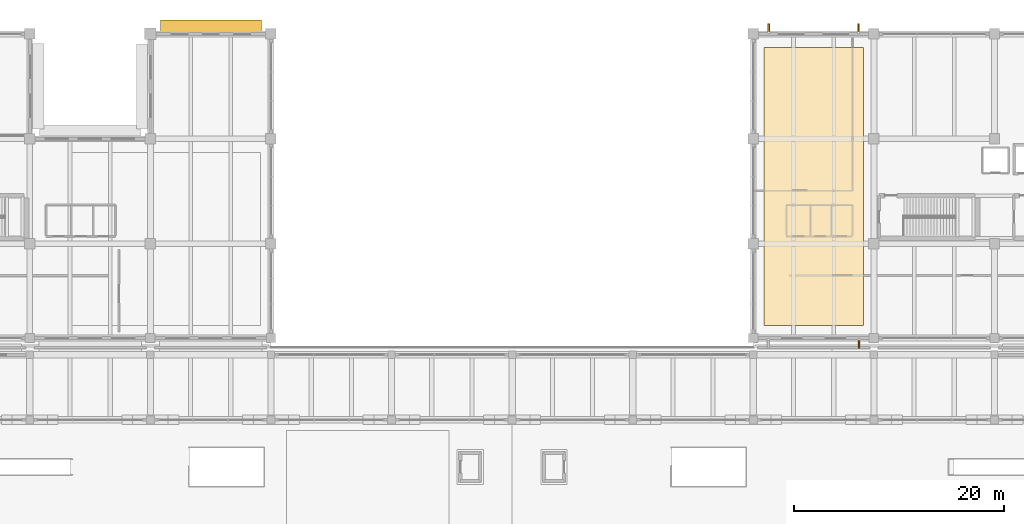
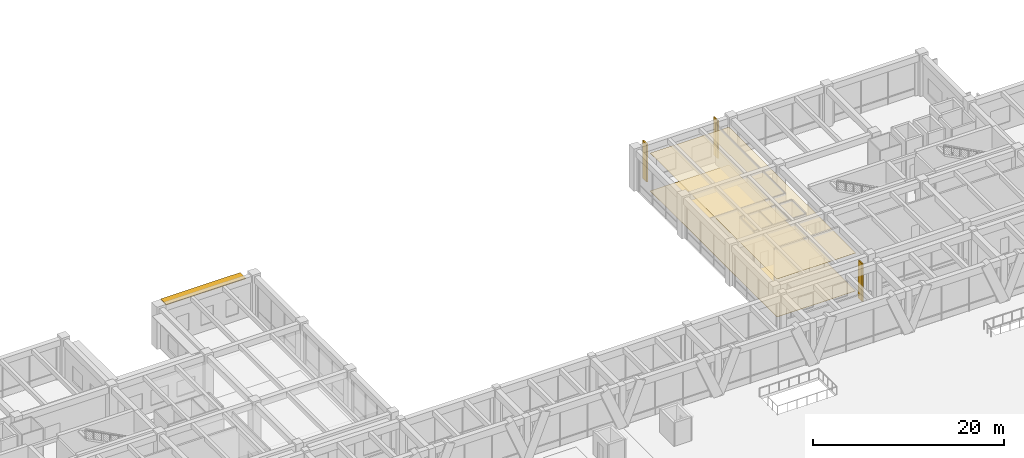
# One storey, part 146 of 148: 4 shading devices, 2 coverings.
"""IFC4 building model written with IfcOpenShell, lengths in metres."""

from ifc_helpers import new_model, si_unit, direction, frame, origin, origin_2d, place, context, subcontext, project, spatial, polyline, rectangle, outline, extrude, material, layer, layer_set, type_object, element, save


model = new_model("IFC4")

# Units and contexts
model_context = context("Model", 3, precision=1e-05, world=origin(), true_north=direction((0.0, 1.0)))
body_context = subcontext(model_context, "Body", "Model", "MODEL_VIEW")
ifc_project = project(units=[si_unit("LENGTHUNIT", "METRE"), si_unit("AREAUNIT", "SQUARE_METRE"), si_unit("VOLUMEUNIT", "CUBIC_METRE"), si_unit("PLANEANGLEUNIT", "RADIAN"), si_unit("MASSUNIT", "GRAM", prefix="KILO")], contexts=[model_context])

# Site, building, storey
site_placement = place(None, origin())
site = spatial("IfcSite", under=ifc_project, at=site_placement, CompositionType="ELEMENT")
building_placement = place(site_placement, origin())
building = spatial("IfcBuilding", under=site, at=building_placement, Name="Ologun Quay Terminus", CompositionType="ELEMENT")
storey_placement = place(building_placement, frame((0.0, 0.0, 8.39990234375)))
storey = spatial("IfcBuildingStorey", under=building, at=storey_placement, Name="L02", CompositionType="ELEMENT", Elevation=8.39990234375)

# Covering
ifc_material_1 = material(Name="Steel S355", Category="steel")
ifc_layer_1 = layer(ifc_material_1, 0.044921875)
ifc_layer_set_1 = layer_set([ifc_layer_1], Name="Steel S355")
covering_type_1 = type_object("IfcCoveringType", Name="Anti-Static Raised Access Control Floor 45", PredefinedType="FLOORING", material=ifc_layer_set_1)
covering_1_placement = place(storey_placement, origin())
element("IfcCovering", 1, at=covering_1_placement, inside=storey, type_object=covering_type_1, Name="CV-FL3 Interior Flooring 10", PredefinedType="FLOORING", context=body_context, shape_type="SweptSolid", body=[
    extrude(outline(polyline([(116.0, 87.0), (125.5, 87.0), (125.5, 113.5), (116.0, 113.5), (116.0, 87.0)])), origin(), (0.0, 0.0, 1.0), 0.045166015625),
])

# Shading device
ifc_material_2 = material(Name="Aluminium 6063-T6", Category="aluminium")
ifc_layer_2 = layer(ifc_material_2, 0.10009765625)
ifc_layer_set_2 = layer_set([ifc_layer_2], Name="Aluminium 6063-T6")
shading_device_type_1 = type_object("IfcShadingDeviceType", Name="Deep Waterfront Brise-Soleil Blade 1200", PredefinedType="JALOUSIE", material=ifc_layer_set_2)
shading_device_placement = place(storey_placement, frame((63.27490234375, 115.530029296875, 4.72998046875), z_axis=(0.0, 0.0, 1.0), x_axis=(1.0, 0.0, 0.0)))
element("IfcShadingDevice", 2, at=shading_device_placement, inside=storey, type_object=shading_device_type_1, Name="SD-02 Sun-Hood WEW-WW-N-L02-10", PredefinedType="JALOUSIE", context=body_context, shape_type="SweptSolid", body=[
    extrude(rectangle(XDim=9.610107421875, YDim=1.199951171875, at=origin_2d()), origin(), (0.0, 0.0, 1.0), 0.10009765625),
])

# Covering
ifc_material_3 = material(Name="Gypsum Acoustic Stud")
ifc_layer_3 = layer(ifc_material_3, 0.02001953125)
ifc_layer_set_3 = layer_set([ifc_layer_3], Name="Gypsum Acoustic Stud")
covering_type_2 = type_object("IfcCoveringType", Name="Mineral-Fibre Acoustic Suspended Ceiling 20", PredefinedType="CEILING", material=ifc_layer_set_3)
covering_2_placement = place(storey_placement, frame((0.0, 0.0, 4.85009765625)))
element("IfcCovering", 3, at=covering_2_placement, inside=storey, type_object=covering_type_2, Name="CV-CL2 Acoustic Ceiling 8", PredefinedType="CEILING", context=body_context, shape_type="SweptSolid", body=[
    extrude(outline(polyline([(116.0, 87.0), (125.5, 87.0), (125.5, 113.5), (116.0, 113.5), (116.0, 87.0)])), origin(), (0.0, 0.0, 1.0), 0.02001953125),
])

# Shading devices
ifc_material_4 = material(Name="Concrete C40/50", Category="concrete")
ifc_layer_4 = layer(ifc_material_4, 0.159912109375)
ifc_layer_set_4 = layer_set([ifc_layer_4], Name="Concrete C40/50")
shading_device_type_2 = type_object("IfcShadingDeviceType", Name="Operations Angled Precast Solar Fin 850x160", PredefinedType="USERDEFINED", material=ifc_layer_set_4)
for number, where, z_axis, x_axis, name in (
    (4, (125.080078125, 85.2451171875, 0.150146484375), (0.0, 0.0, 1.0), (1.0, 0.0, 0.0), "SD-05 Vertical Solar Fin WEW-EW-L02-1-2"),
    (5, (116.469970703125, 115.35498046875, 0.150146484375), (0.0, 0.0, 1.0), (1.0, 0.0, 0.0), "SD-05 Vertical Solar Fin WEW-EW-L02-17-1"),
    (6, (125.030029296875, 115.35498046875, 0.150146484375), (0.0, 0.0, 1.0), (1.0, 0.0, 0.0), "SD-05 Vertical Solar Fin WEW-EW-L02-17-2"),
):
    element("IfcShadingDevice", number, at=place(storey_placement, frame(where, z_axis=z_axis, x_axis=x_axis)), inside=storey, type_object=shading_device_type_2, Name=name, ObjectType="SOLAR FIN", PredefinedType="USERDEFINED", context=body_context, shape_type="SweptSolid", body=[
        extrude(rectangle(XDim=0.159912109375, YDim=0.85009765625, at=origin_2d()), origin(), (0.0, 0.0, 1.0), 4.830078125),
    ])

save(model, "model.ifc")
